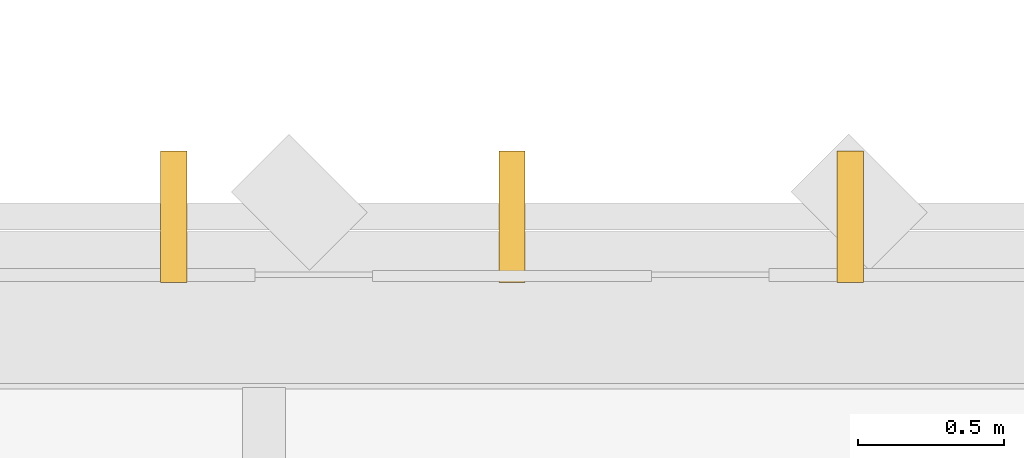
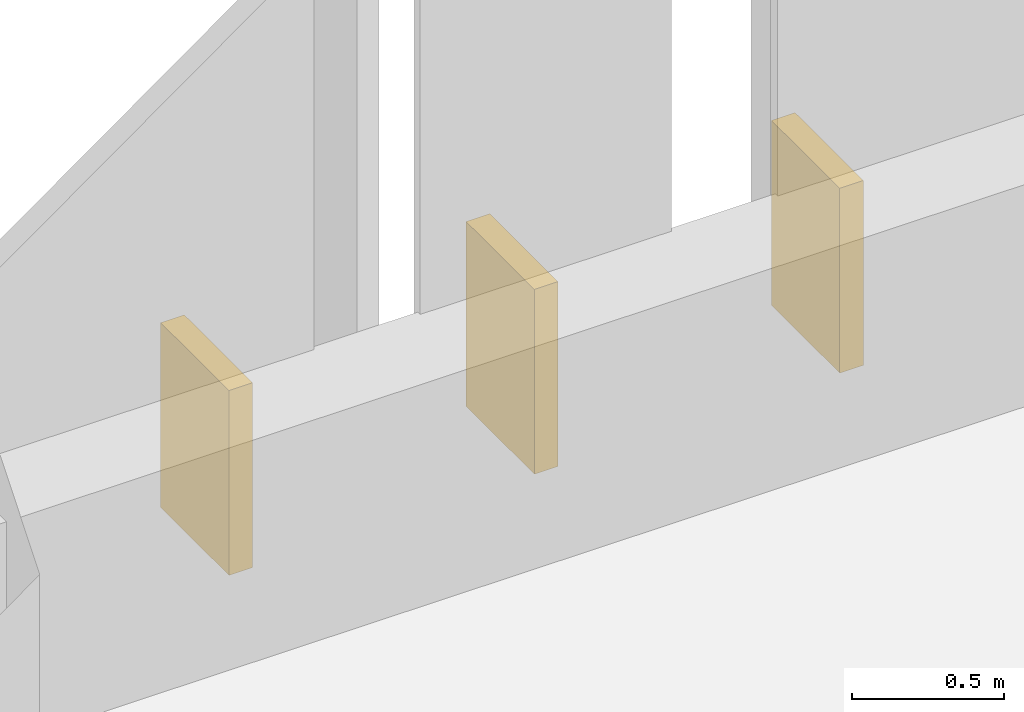
# One storey, part 158 of 158: 3 coverings.
"""IFC4 building model written with IfcOpenShell, lengths in metres."""

from ifc_helpers import new_model, si_unit, direction, frame, origin, origin_2d, place, context, subcontext, project, spatial, rectangle, extrude, material, layer, layer_set, type_object, element, save


model = new_model("IFC4")

# Units and contexts
model_context = context("Model", 3, precision=1e-05, world=origin(), true_north=direction((0.0, 1.0)))
body_context = subcontext(model_context, "Body", "Model", "MODEL_VIEW")
ifc_project = project(units=[si_unit("LENGTHUNIT", "METRE"), si_unit("AREAUNIT", "SQUARE_METRE"), si_unit("VOLUMEUNIT", "CUBIC_METRE"), si_unit("PLANEANGLEUNIT", "RADIAN"), si_unit("MASSUNIT", "GRAM", prefix="KILO")], contexts=[model_context])

# Site, building, storey
site_placement = place(None, origin())
site = spatial("IfcSite", under=ifc_project, at=site_placement, CompositionType="ELEMENT")
building_placement = place(site_placement, origin())
building = spatial("IfcBuilding", under=site, at=building_placement, Name="Lusvemor Sports Hall", CompositionType="ELEMENT")
storey_placement = place(building_placement, frame((0.0, 0.0, 10.800048828125)))
storey = spatial("IfcBuildingStorey", under=building, at=storey_placement, Name="L02", CompositionType="ELEMENT", Elevation=10.800048828125)

# Coverings
ifc_material = material(Name="Warm terracotta Art Nouveau ceramic cladding on Concrete C40/50 backing", Category="masonry")
ifc_layer = layer(ifc_material, 0.449951171875)
ifc_layer_set = layer_set([ifc_layer], Name="Warm terracotta Art Nouveau ceramic cladding on Concrete C40/50 backing")
covering_type = type_object("IfcCoveringType", Name="FIN_BRISE_CER_450", PredefinedType="MOLDING", material=ifc_layer_set)
for number, where, z_axis, x_axis, name in (
    (1, (71.68994140625, 47.18994140625, 0.10009765625), (0.0, 0.0, 1.0), (1.0, 0.0, 0.0), "Coastal Ceramic Brise-Soleil Fin N-6.2.1"),
    (2, (72.85009765625, 47.18994140625, 0.10009765625), (0.0, 0.0, 1.0), (1.0, 0.0, 0.0), "Coastal Ceramic Brise-Soleil Fin N-6.2.2"),
    (3, (74.010009765625, 47.18994140625, 0.10009765625), (0.0, 0.0, 1.0), (1.0, 0.0, 0.0), "Coastal Ceramic Brise-Soleil Fin N-6.2.3"),
):
    element("IfcCovering", number, at=place(storey_placement, frame(where, z_axis=z_axis, x_axis=x_axis)), inside=storey, type_object=covering_type, Name=name, PredefinedType="MOLDING", context=body_context, shape_type="SweptSolid", body=[
        extrude(rectangle(XDim=0.090087890625, YDim=0.449951171875, at=origin_2d()), origin(), (0.0, 0.0, 1.0), 0.741943359375),
    ])

save(model, "model.ifc")
